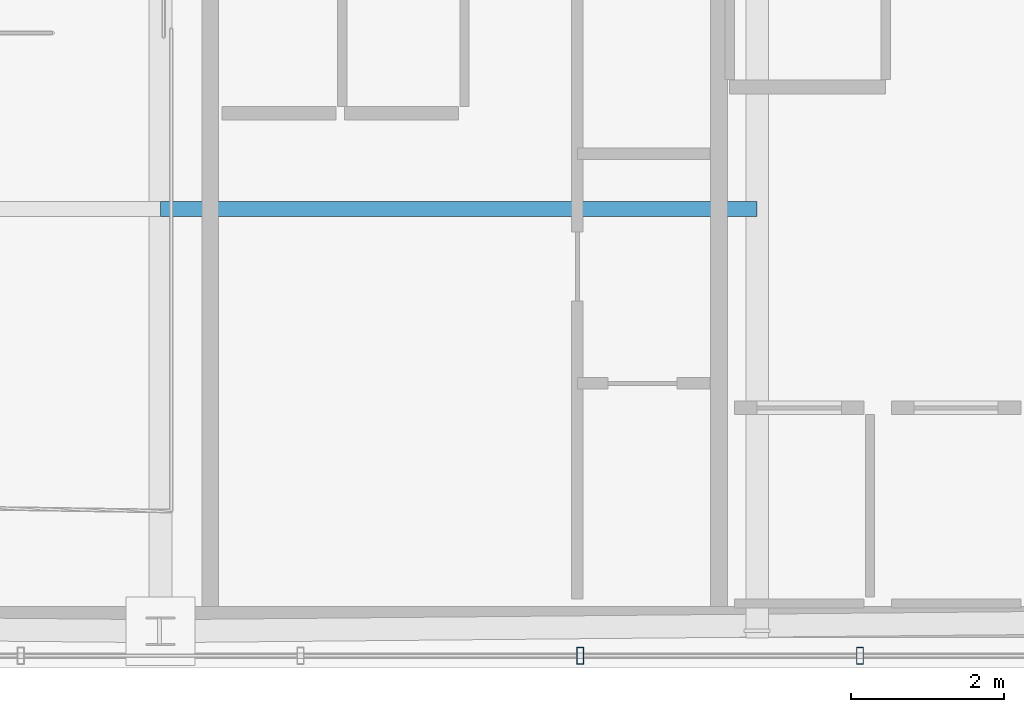
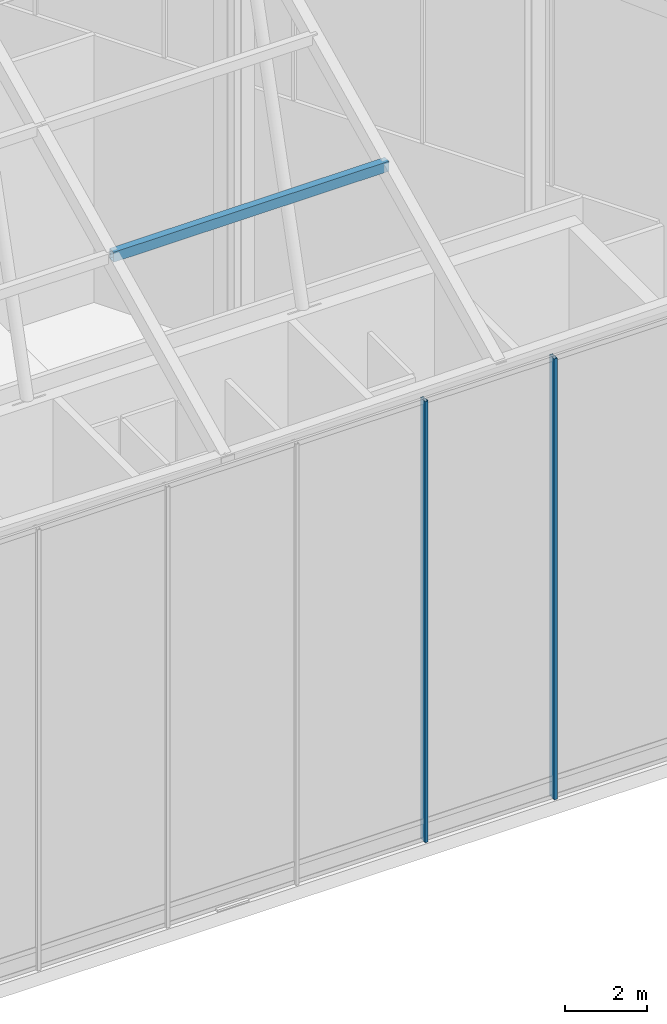
# One storey, part 15 of 36: 3 members, 1 element without a shape of its own.
"""IFC4 building model written with IfcOpenShell, lengths in metres."""

from ifc_helpers import new_model, si_unit, direction, frame, origin, origin_2d, place, context, subcontext, project, spatial, hollow_rectangle, extrude, material, layer, layer_set, material_profile, profile_set, type_object, element, aggregate, save


model = new_model("IFC4")

# Units and contexts
model_context = context("Model", 3, precision=1e-05, world=origin(), true_north=direction((0.0, 1.0)))
body_context = subcontext(model_context, "Body", "Model", "MODEL_VIEW")
ifc_project = project(units=[si_unit("LENGTHUNIT", "METRE"), si_unit("AREAUNIT", "SQUARE_METRE"), si_unit("VOLUMEUNIT", "CUBIC_METRE"), si_unit("PLANEANGLEUNIT", "RADIAN"), si_unit("MASSUNIT", "GRAM", prefix="KILO")], contexts=[model_context])

# Site, building, storey
site_placement = place(None, origin())
site = spatial("IfcSite", under=ifc_project, at=site_placement, CompositionType="ELEMENT")
building_placement = place(site_placement, origin())
building = spatial("IfcBuilding", under=site, at=building_placement, Name="Ndaravel Arena Tower", CompositionType="ELEMENT")
storey_placement = place(building_placement, frame((0.0, 0.0, 308.10009765625)))
storey = spatial("IfcBuildingStorey", under=building, at=storey_placement, Name="Roof Crown", CompositionType="ELEMENT", Elevation=308.10009765625)

# Member
ifc_material_1 = material(Name="Steel S355", Category="steel")
ifc_material_profile_1 = material_profile(ifc_material_1, hollow_rectangle(XDim=0.199951171875, YDim=0.300048828125, WallThickness=0.012451171875, at=origin_2d()), Name="RHS 300x200x12.5")
ifc_profile_set_1 = profile_set([ifc_material_profile_1], Name="Steel S355")
member_type_1 = type_object("IfcMemberType", Name="MEM-CRN-PURLIN1", PredefinedType="PURLIN", material=ifc_profile_set_1)
member_1_placement = place(storey_placement, frame((42.0, 11.0, 15.886474609375), z_axis=(1.0, 0.0, 0.0), x_axis=(0.0, 1.0, 0.0)))
element("IfcMember", 1, at=member_1_placement, inside=storey, type_object=member_type_1, Name="Crown Roof Purlin East CRP-B1", PredefinedType="PURLIN", context=body_context, shape_type="SweptSolid", body=[
    extrude(hollow_rectangle(XDim=0.199951171875, YDim=0.300048828125, WallThickness=0.012451171875, at=origin_2d()), origin(), (0.0, 0.0, 1.0), 7.800048828125),
])

# Curtain wall, members
ifc_material_2 = material(Name="Aluminium", Category="aluminium")
ifc_layer = layer(ifc_material_2, 0.179931640625)
ifc_layer_set = layer_set([ifc_layer], Name="Aluminium")
curtain_wall_type = type_object("IfcCurtainWallType", Name="CW-SYS-06", PredefinedType="NOTDEFINED", material=ifc_layer_set)
curtain_wall_placement = place(storey_placement, origin())
curtain_wall = element("IfcCurtainWall", 2, at=curtain_wall_placement, inside=storey, type_object=curtain_wall_type, Name="Roof Crown Sloped Crown Lantern Curtain Wall CW-CROWN-E01", PredefinedType="NOTDEFINED")
ifc_material_3 = material(Name="Aluminium", Category="aluminium")
ifc_material_profile_2 = material_profile(ifc_material_3, hollow_rectangle(XDim=0.090087890625, YDim=0.219970703125, WallThickness=0.0048828125, at=origin_2d()), Name="CW MULLION 90x220x5")
ifc_profile_set_2 = profile_set([ifc_material_profile_2], Name="Aluminium")
member_type_2 = type_object("IfcMemberType", Name="MEM-CW-MUL220", PredefinedType="MULLION", material=ifc_profile_set_2)
member_2_placement = place(storey_placement, frame((47.48583984375, 5.159912109375, 0.0), z_axis=(0.0, 0.0, 1.0), x_axis=(1.0, 0.0, 0.0)))
member_2 = element("IfcMember", 3, at=member_2_placement, type_object=member_type_2, Name="CW-CROWN-E01 Mullion 07", PredefinedType="MULLION", context=body_context, shape_type="SweptSolid", body=[
    extrude(hollow_rectangle(XDim=0.090087890625, YDim=0.219970703125, WallThickness=0.0048828125, at=origin_2d()), origin(), (0.0, 0.0, 1.0), 13.2080078125),
])
member_3_placement = place(storey_placement, frame((51.143310546875, 5.159912109375, 0.0), z_axis=(0.0, 0.0, 1.0), x_axis=(1.0, 0.0, 0.0)))
member_3 = element("IfcMember", 4, at=member_3_placement, type_object=member_type_2, Name="CW-CROWN-E01 Mullion 08", PredefinedType="MULLION", context=body_context, shape_type="SweptSolid", body=[
    extrude(hollow_rectangle(XDim=0.090087890625, YDim=0.219970703125, WallThickness=0.0048828125, at=origin_2d()), origin(), (0.0, 0.0, 1.0), 13.2080078125),
])
aggregate(curtain_wall, [member_2, member_3])

save(model, "model.ifc")
